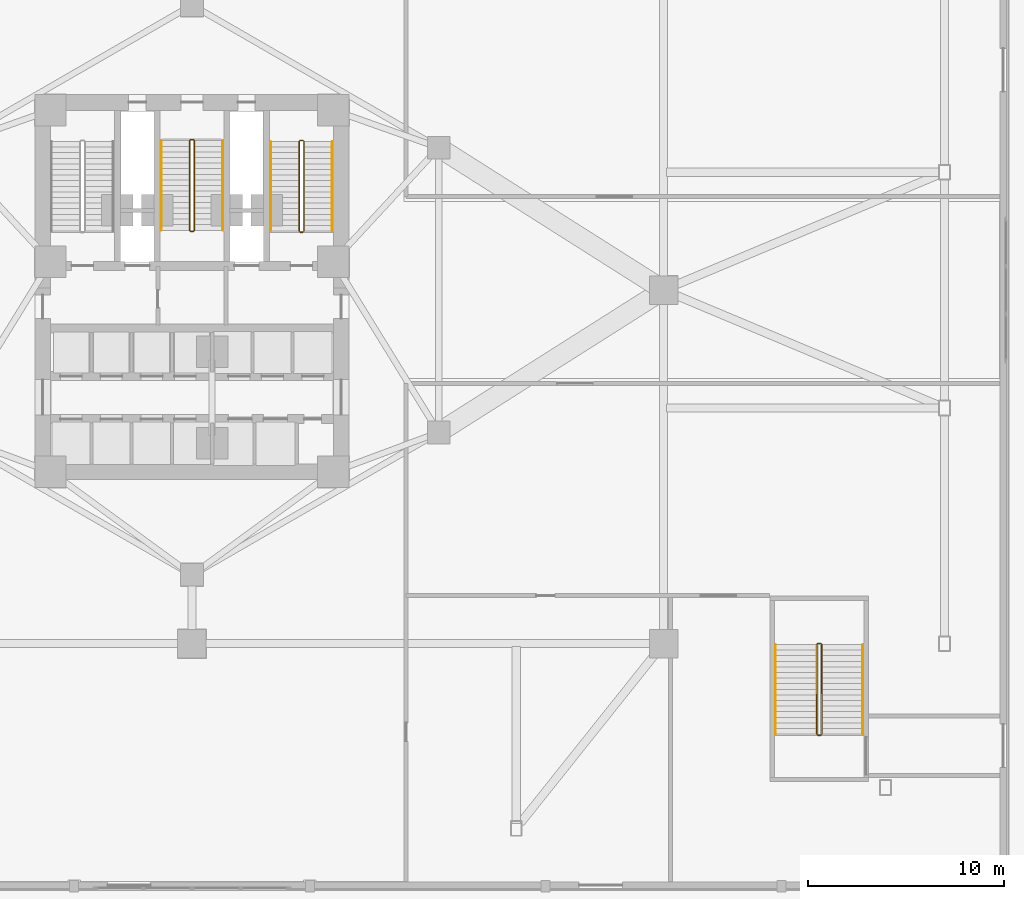
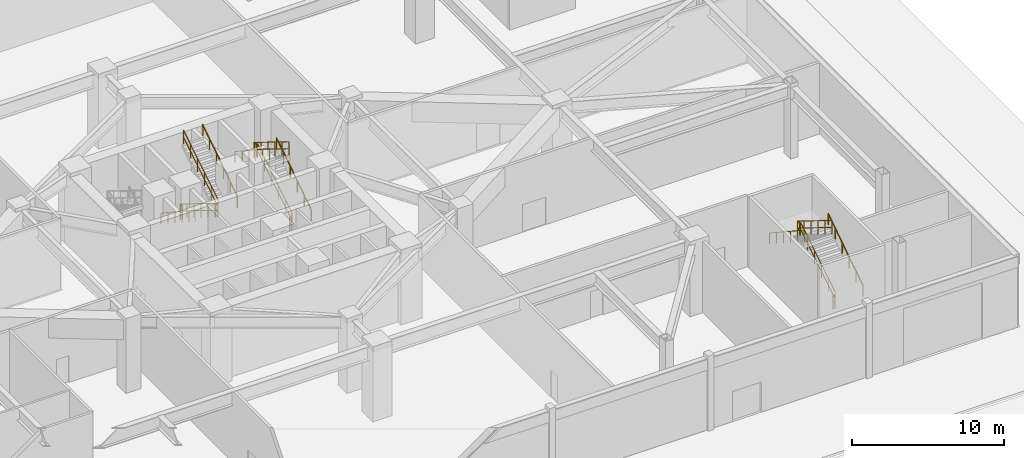
# One storey, part 20 of 24: 18 railings.
"""IFC4 building model written with IfcOpenShell, lengths in metres."""

from ifc_helpers import new_model, si_unit, direction, frame, origin, origin_2d, place, context, subcontext, project, spatial, rectangle, extrude, material, type_object, element, save


model = new_model("IFC4")

# Units and contexts
model_context = context("Model", 3, precision=1e-05, world=origin(), true_north=direction((0.0, 1.0)))
body_context = subcontext(model_context, "Body", "Model", "MODEL_VIEW")
ifc_project = project(units=[si_unit("LENGTHUNIT", "METRE"), si_unit("AREAUNIT", "SQUARE_METRE"), si_unit("VOLUMEUNIT", "CUBIC_METRE"), si_unit("PLANEANGLEUNIT", "RADIAN"), si_unit("MASSUNIT", "GRAM", prefix="KILO")], contexts=[model_context])

# Site, building, storey
site_placement = place(None, origin())
site = spatial("IfcSite", under=ifc_project, at=site_placement, CompositionType="ELEMENT")
building_placement = place(site_placement, origin())
building = spatial("IfcBuilding", under=site, at=building_placement, Name="Apsidion Concourse Tower", CompositionType="ELEMENT")
storey_placement = place(building_placement, origin())
storey = spatial("IfcBuildingStorey", under=building, at=storey_placement, Name="L00", CompositionType="ELEMENT", Elevation=0.0)

# Railings
ifc_material = material(Name="Brushed stainless steel 316", Category="steel")
railing_type_1 = type_object("IfcRailingType", Name="RL-GUARD-1100", PredefinedType="GUARDRAIL", material=ifc_material)
railing_1_placement = place(storey_placement, frame((5.699951171875, 3.0, 0.176513671875)))
element("IfcRailing", 1, at=railing_1_placement, inside=storey, type_object=railing_type_1, Name="L00 ST2 stair guard 1", PredefinedType="GUARDRAIL", context=body_context, shape_type="SweptSolid", body=[
    extrude(rectangle(XDim=0.048095703125, YDim=0.048095703125, at=origin_2d()), frame((0.0, 0.0, 1.09619140625), z_axis=(0.0, 0.850215668316, 0.526434532824), x_axis=(-1.0, 0.0, 0.0)), (0.0, 0.0, 1.0), 5.363525390625),
    extrude(rectangle(XDim=0.048095703125, YDim=0.048095703125, at=origin_2d()), frame((0.0, 0.0, 0.5361328125), z_axis=(0.0, 0.850215668316, 0.526434532824), x_axis=(-1.0, 0.0, 0.0)), (0.0, 0.0, 1.0), 5.363525390625),
    extrude(rectangle(XDim=0.0419921875, YDim=0.0419921875, at=origin_2d()), origin(), (0.0, 0.0, 1.0), 1.072021484375),
    extrude(rectangle(XDim=0.0419921875, YDim=0.0419921875, at=origin_2d()), frame((0.0, 0.912109375, 0.564697265625)), (0.0, 0.0, 1.0), 1.072021484375),
    extrude(rectangle(XDim=0.0419921875, YDim=0.0419921875, at=origin_2d()), frame((0.0, 1.823974609375, 1.12939453125)), (0.0, 0.0, 1.0), 1.072021484375),
    extrude(rectangle(XDim=0.0419921875, YDim=0.0419921875, at=origin_2d()), frame((0.0, 2.736083984375, 1.694091796875)), (0.0, 0.0, 1.0), 1.072021484375),
    extrude(rectangle(XDim=0.0419921875, YDim=0.0419921875, at=origin_2d()), frame((0.0, 3.64794921875, 2.2587890625)), (0.0, 0.0, 1.0), 1.072021484375),
    extrude(rectangle(XDim=0.0419921875, YDim=0.0419921875, at=origin_2d()), frame((0.0, 4.56005859375, 2.823486328125)), (0.0, 0.0, 1.0), 1.072021484375),
])
railing_2_placement = place(storey_placement, frame((5.64990234375, 7.610107421875, 3.0)))
element("IfcRailing", 2, at=railing_2_placement, inside=storey, type_object=railing_type_1, Name="L00 ST2 stair guard 2", PredefinedType="GUARDRAIL", context=body_context, shape_type="SweptSolid", body=[
    extrude(rectangle(XDim=0.048095703125, YDim=0.048095703125, at=origin_2d()), frame((0.0, 0.0, 1.09619140625), z_axis=(-1.0, 0.0, 0.0), x_axis=(0.0, -1.0, 0.0)), (0.0, 0.0, 1.0), 0.14990234375),
    extrude(rectangle(XDim=0.048095703125, YDim=0.048095703125, at=origin_2d()), frame((0.0, 0.0, 0.5361328125), z_axis=(-1.0, 0.0, 0.0), x_axis=(0.0, -1.0, 0.0)), (0.0, 0.0, 1.0), 0.14990234375),
    extrude(rectangle(XDim=0.0419921875, YDim=0.0419921875, at=origin_2d()), origin(), (0.0, 0.0, 1.0), 1.072021484375),
    extrude(rectangle(XDim=0.0419921875, YDim=0.0419921875, at=origin_2d()), frame((-0.14990234375, 0.0, 0.0)), (0.0, 0.0, 1.0), 1.072021484375),
])
railing_3_placement = place(storey_placement, frame((5.449951171875, 7.56005859375, 3.176513671875)))
element("IfcRailing", 3, at=railing_3_placement, inside=storey, type_object=railing_type_1, Name="L00 ST2 stair guard 3", PredefinedType="GUARDRAIL", context=body_context, shape_type="SweptSolid", body=[
    extrude(rectangle(XDim=0.048095703125, YDim=0.048095703125, at=origin_2d()), frame((0.0, 0.0, 1.09619140625), z_axis=(0.0, -0.850215668316, 0.526434532824), x_axis=(1.0, 0.0, 0.0)), (0.0, 0.0, 1.0), 5.363525390625),
    extrude(rectangle(XDim=0.048095703125, YDim=0.048095703125, at=origin_2d()), frame((0.0, 0.0, 0.5361328125), z_axis=(0.0, -0.850215668316, 0.526434532824), x_axis=(1.0, 0.0, 0.0)), (0.0, 0.0, 1.0), 5.363525390625),
    extrude(rectangle(XDim=0.0419921875, YDim=0.0419921875, at=origin_2d()), origin(), (0.0, 0.0, 1.0), 1.072021484375),
    extrude(rectangle(XDim=0.0419921875, YDim=0.0419921875, at=origin_2d()), frame((0.0, -0.912109375, 0.564697265625)), (0.0, 0.0, 1.0), 1.072021484375),
    extrude(rectangle(XDim=0.0419921875, YDim=0.0419921875, at=origin_2d()), frame((0.0, -1.823974609375, 1.12939453125)), (0.0, 0.0, 1.0), 1.072021484375),
    extrude(rectangle(XDim=0.0419921875, YDim=0.0419921875, at=origin_2d()), frame((0.0, -2.736083984375, 1.694091796875)), (0.0, 0.0, 1.0), 1.072021484375),
    extrude(rectangle(XDim=0.0419921875, YDim=0.0419921875, at=origin_2d()), frame((0.0, -3.64794921875, 2.2587890625)), (0.0, 0.0, 1.0), 1.072021484375),
    extrude(rectangle(XDim=0.0419921875, YDim=0.0419921875, at=origin_2d()), frame((0.0, -4.56005859375, 2.823486328125)), (0.0, 0.0, 1.0), 1.072021484375),
])
railing_4_placement = place(storey_placement, frame((5.64990234375, 2.949951171875, 0.0)))
element("IfcRailing", 4, at=railing_4_placement, inside=storey, type_object=railing_type_1, Name="L00 ST2 stair guard 4", PredefinedType="GUARDRAIL", context=body_context, shape_type="SweptSolid", body=[
    extrude(rectangle(XDim=0.048095703125, YDim=0.048095703125, at=origin_2d()), frame((0.0, 0.0, 1.09619140625), z_axis=(-1.0, 0.0, 0.0), x_axis=(0.0, -1.0, 0.0)), (0.0, 0.0, 1.0), 0.14990234375),
    extrude(rectangle(XDim=0.048095703125, YDim=0.048095703125, at=origin_2d()), frame((0.0, 0.0, 0.5361328125), z_axis=(-1.0, 0.0, 0.0), x_axis=(0.0, -1.0, 0.0)), (0.0, 0.0, 1.0), 0.14990234375),
    extrude(rectangle(XDim=0.0419921875, YDim=0.0419921875, at=origin_2d()), origin(), (0.0, 0.0, 1.0), 1.072021484375),
    extrude(rectangle(XDim=0.0419921875, YDim=0.0419921875, at=origin_2d()), frame((-0.14990234375, 0.0, 0.0)), (0.0, 0.0, 1.0), 1.072021484375),
])
railing_5_placement = place(storey_placement, frame((-0.125, 7.60009765625, 0.176513671875)))
element("IfcRailing", 5, at=railing_5_placement, inside=storey, type_object=railing_type_1, Name="L00 ST3 stair guard 1", PredefinedType="GUARDRAIL", context=body_context, shape_type="SweptSolid", body=[
    extrude(rectangle(XDim=0.048095703125, YDim=0.048095703125, at=origin_2d()), frame((0.0, 0.0, 1.09619140625), z_axis=(0.0, -0.850215668316, 0.526434532824), x_axis=(1.0, 0.0, 0.0)), (0.0, 0.0, 1.0), 5.363525390625),
    extrude(rectangle(XDim=0.048095703125, YDim=0.048095703125, at=origin_2d()), frame((0.0, 0.0, 0.5361328125), z_axis=(0.0, -0.850215668316, 0.526434532824), x_axis=(1.0, 0.0, 0.0)), (0.0, 0.0, 1.0), 5.363525390625),
    extrude(rectangle(XDim=0.0419921875, YDim=0.0419921875, at=origin_2d()), origin(), (0.0, 0.0, 1.0), 1.072021484375),
    extrude(rectangle(XDim=0.0419921875, YDim=0.0419921875, at=origin_2d()), frame((0.0, -0.912109375, 0.564697265625)), (0.0, 0.0, 1.0), 1.072021484375),
    extrude(rectangle(XDim=0.0419921875, YDim=0.0419921875, at=origin_2d()), frame((0.0, -1.823974609375, 1.12939453125)), (0.0, 0.0, 1.0), 1.072021484375),
    extrude(rectangle(XDim=0.0419921875, YDim=0.0419921875, at=origin_2d()), frame((0.0, -2.736083984375, 1.694091796875)), (0.0, 0.0, 1.0), 1.072021484375),
    extrude(rectangle(XDim=0.0419921875, YDim=0.0419921875, at=origin_2d()), frame((0.0, -3.64794921875, 2.2587890625)), (0.0, 0.0, 1.0), 1.072021484375),
    extrude(rectangle(XDim=0.0419921875, YDim=0.0419921875, at=origin_2d()), frame((0.0, -4.56005859375, 2.823486328125)), (0.0, 0.0, 1.0), 1.072021484375),
])
railing_6_placement = place(storey_placement, frame((-0.074951171875, 2.989990234375, 3.0)))
element("IfcRailing", 6, at=railing_6_placement, inside=storey, type_object=railing_type_1, Name="L00 ST3 stair guard 2", PredefinedType="GUARDRAIL", context=body_context, shape_type="SweptSolid", body=[
    extrude(rectangle(XDim=0.048095703125, YDim=0.048095703125, at=origin_2d()), frame((0.0, 0.0, 1.09619140625), z_axis=(1.0, 0.0, 0.0), x_axis=(0.0, 1.0, 0.0)), (0.0, 0.0, 1.0), 0.14990234375),
    extrude(rectangle(XDim=0.048095703125, YDim=0.048095703125, at=origin_2d()), frame((0.0, 0.0, 0.5361328125), z_axis=(1.0, 0.0, 0.0), x_axis=(0.0, 1.0, 0.0)), (0.0, 0.0, 1.0), 0.14990234375),
    extrude(rectangle(XDim=0.0419921875, YDim=0.0419921875, at=origin_2d()), origin(), (0.0, 0.0, 1.0), 1.072021484375),
    extrude(rectangle(XDim=0.0419921875, YDim=0.0419921875, at=origin_2d()), frame((0.14990234375, 0.0, 0.0)), (0.0, 0.0, 1.0), 1.072021484375),
])
railing_7_placement = place(storey_placement, frame((0.125, 3.0400390625, 3.176513671875)))
element("IfcRailing", 7, at=railing_7_placement, inside=storey, type_object=railing_type_1, Name="L00 ST3 stair guard 3", PredefinedType="GUARDRAIL", context=body_context, shape_type="SweptSolid", body=[
    extrude(rectangle(XDim=0.048095703125, YDim=0.048095703125, at=origin_2d()), frame((0.0, 0.0, 1.09619140625), z_axis=(0.0, 0.850215668316, 0.526434532824), x_axis=(-1.0, 0.0, 0.0)), (0.0, 0.0, 1.0), 5.363525390625),
    extrude(rectangle(XDim=0.048095703125, YDim=0.048095703125, at=origin_2d()), frame((0.0, 0.0, 0.5361328125), z_axis=(0.0, 0.850215668316, 0.526434532824), x_axis=(-1.0, 0.0, 0.0)), (0.0, 0.0, 1.0), 5.363525390625),
    extrude(rectangle(XDim=0.0419921875, YDim=0.0419921875, at=origin_2d()), origin(), (0.0, 0.0, 1.0), 1.072021484375),
    extrude(rectangle(XDim=0.0419921875, YDim=0.0419921875, at=origin_2d()), frame((0.0, 0.912109375, 0.564697265625)), (0.0, 0.0, 1.0), 1.072021484375),
    extrude(rectangle(XDim=0.0419921875, YDim=0.0419921875, at=origin_2d()), frame((0.0, 1.823974609375, 1.12939453125)), (0.0, 0.0, 1.0), 1.072021484375),
    extrude(rectangle(XDim=0.0419921875, YDim=0.0419921875, at=origin_2d()), frame((0.0, 2.736083984375, 1.694091796875)), (0.0, 0.0, 1.0), 1.072021484375),
    extrude(rectangle(XDim=0.0419921875, YDim=0.0419921875, at=origin_2d()), frame((0.0, 3.64794921875, 2.2587890625)), (0.0, 0.0, 1.0), 1.072021484375),
    extrude(rectangle(XDim=0.0419921875, YDim=0.0419921875, at=origin_2d()), frame((0.0, 4.56005859375, 2.823486328125)), (0.0, 0.0, 1.0), 1.072021484375),
])
railing_8_placement = place(storey_placement, frame((-0.074951171875, 7.64990234375, 0.0)))
element("IfcRailing", 8, at=railing_8_placement, inside=storey, type_object=railing_type_1, Name="L00 ST3 stair guard 4", PredefinedType="GUARDRAIL", context=body_context, shape_type="SweptSolid", body=[
    extrude(rectangle(XDim=0.048095703125, YDim=0.048095703125, at=origin_2d()), frame((0.0, 0.0, 1.09619140625), z_axis=(1.0, 0.0, 0.0), x_axis=(0.0, 1.0, 0.0)), (0.0, 0.0, 1.0), 0.14990234375),
    extrude(rectangle(XDim=0.048095703125, YDim=0.048095703125, at=origin_2d()), frame((0.0, 0.0, 0.5361328125), z_axis=(1.0, 0.0, 0.0), x_axis=(0.0, 1.0, 0.0)), (0.0, 0.0, 1.0), 0.14990234375),
    extrude(rectangle(XDim=0.0419921875, YDim=0.0419921875, at=origin_2d()), origin(), (0.0, 0.0, 1.0), 1.072021484375),
    extrude(rectangle(XDim=0.0419921875, YDim=0.0419921875, at=origin_2d()), frame((0.14990234375, 0.0, 0.0)), (0.0, 0.0, 1.0), 1.072021484375),
])
railing_9_placement = place(storey_placement, frame((32.050048828125, -22.60009765625, 0.176513671875)))
element("IfcRailing", 9, at=railing_9_placement, inside=storey, type_object=railing_type_1, Name="L00 ST-P2 stair guard 1", PredefinedType="GUARDRAIL", context=body_context, shape_type="SweptSolid", body=[
    extrude(rectangle(XDim=0.048095703125, YDim=0.048095703125, at=origin_2d()), frame((0.0, 0.0, 1.09619140625), z_axis=(0.0, 0.850215668316, 0.526434532824), x_axis=(-1.0, 0.0, 0.0)), (0.0, 0.0, 1.0), 5.363525390625),
    extrude(rectangle(XDim=0.048095703125, YDim=0.048095703125, at=origin_2d()), frame((0.0, 0.0, 0.5361328125), z_axis=(0.0, 0.850215668316, 0.526434532824), x_axis=(-1.0, 0.0, 0.0)), (0.0, 0.0, 1.0), 5.363525390625),
    extrude(rectangle(XDim=0.0419921875, YDim=0.0419921875, at=origin_2d()), origin(), (0.0, 0.0, 1.0), 1.072021484375),
    extrude(rectangle(XDim=0.0419921875, YDim=0.0419921875, at=origin_2d()), frame((0.0, 0.912109375, 0.564697265625)), (0.0, 0.0, 1.0), 1.072021484375),
    extrude(rectangle(XDim=0.0419921875, YDim=0.0419921875, at=origin_2d()), frame((0.0, 1.823974609375, 1.12939453125)), (0.0, 0.0, 1.0), 1.072021484375),
    extrude(rectangle(XDim=0.0419921875, YDim=0.0419921875, at=origin_2d()), frame((0.0, 2.736083984375, 1.694091796875)), (0.0, 0.0, 1.0), 1.072021484375),
    extrude(rectangle(XDim=0.0419921875, YDim=0.0419921875, at=origin_2d()), frame((0.0, 3.64794921875, 2.2587890625)), (0.0, 0.0, 1.0), 1.072021484375),
    extrude(rectangle(XDim=0.0419921875, YDim=0.0419921875, at=origin_2d()), frame((0.0, 4.56005859375, 2.823486328125)), (0.0, 0.0, 1.0), 1.072021484375),
])
railing_10_placement = place(storey_placement, frame((32.0, -17.989990234375, 3.0)))
element("IfcRailing", 10, at=railing_10_placement, inside=storey, type_object=railing_type_1, Name="L00 ST-P2 stair guard 2", PredefinedType="GUARDRAIL", context=body_context, shape_type="SweptSolid", body=[
    extrude(rectangle(XDim=0.048095703125, YDim=0.048095703125, at=origin_2d()), frame((0.0, 0.0, 1.09619140625), z_axis=(-1.0, 0.0, 0.0), x_axis=(0.0, -1.0, 0.0)), (0.0, 0.0, 1.0), 0.14990234375),
    extrude(rectangle(XDim=0.048095703125, YDim=0.048095703125, at=origin_2d()), frame((0.0, 0.0, 0.5361328125), z_axis=(-1.0, 0.0, 0.0), x_axis=(0.0, -1.0, 0.0)), (0.0, 0.0, 1.0), 0.14990234375),
    extrude(rectangle(XDim=0.0419921875, YDim=0.0419921875, at=origin_2d()), origin(), (0.0, 0.0, 1.0), 1.072021484375),
    extrude(rectangle(XDim=0.0419921875, YDim=0.0419921875, at=origin_2d()), frame((-0.14990234375, 0.0, 0.0)), (0.0, 0.0, 1.0), 1.072021484375),
])
railing_11_placement = place(storey_placement, frame((31.800048828125, -18.0400390625, 3.176513671875)))
element("IfcRailing", 11, at=railing_11_placement, inside=storey, type_object=railing_type_1, Name="L00 ST-P2 stair guard 3", PredefinedType="GUARDRAIL", context=body_context, shape_type="SweptSolid", body=[
    extrude(rectangle(XDim=0.048095703125, YDim=0.048095703125, at=origin_2d()), frame((0.0, 0.0, 1.09619140625), z_axis=(0.0, -0.850215668316, 0.526434532824), x_axis=(1.0, 0.0, 0.0)), (0.0, 0.0, 1.0), 5.363525390625),
    extrude(rectangle(XDim=0.048095703125, YDim=0.048095703125, at=origin_2d()), frame((0.0, 0.0, 0.5361328125), z_axis=(0.0, -0.850215668316, 0.526434532824), x_axis=(1.0, 0.0, 0.0)), (0.0, 0.0, 1.0), 5.363525390625),
    extrude(rectangle(XDim=0.0419921875, YDim=0.0419921875, at=origin_2d()), origin(), (0.0, 0.0, 1.0), 1.072021484375),
    extrude(rectangle(XDim=0.0419921875, YDim=0.0419921875, at=origin_2d()), frame((0.0, -0.912109375, 0.564697265625)), (0.0, 0.0, 1.0), 1.072021484375),
    extrude(rectangle(XDim=0.0419921875, YDim=0.0419921875, at=origin_2d()), frame((0.0, -1.823974609375, 1.12939453125)), (0.0, 0.0, 1.0), 1.072021484375),
    extrude(rectangle(XDim=0.0419921875, YDim=0.0419921875, at=origin_2d()), frame((0.0, -2.736083984375, 1.694091796875)), (0.0, 0.0, 1.0), 1.072021484375),
    extrude(rectangle(XDim=0.0419921875, YDim=0.0419921875, at=origin_2d()), frame((0.0, -3.64794921875, 2.2587890625)), (0.0, 0.0, 1.0), 1.072021484375),
    extrude(rectangle(XDim=0.0419921875, YDim=0.0419921875, at=origin_2d()), frame((0.0, -4.56005859375, 2.823486328125)), (0.0, 0.0, 1.0), 1.072021484375),
])
railing_12_placement = place(storey_placement, frame((32.0, -22.64990234375, 0.0)))
element("IfcRailing", 12, at=railing_12_placement, inside=storey, type_object=railing_type_1, Name="L00 ST-P2 stair guard 4", PredefinedType="GUARDRAIL", context=body_context, shape_type="SweptSolid", body=[
    extrude(rectangle(XDim=0.048095703125, YDim=0.048095703125, at=origin_2d()), frame((0.0, 0.0, 1.09619140625), z_axis=(-1.0, 0.0, 0.0), x_axis=(0.0, -1.0, 0.0)), (0.0, 0.0, 1.0), 0.14990234375),
    extrude(rectangle(XDim=0.048095703125, YDim=0.048095703125, at=origin_2d()), frame((0.0, 0.0, 0.5361328125), z_axis=(-1.0, 0.0, 0.0), x_axis=(0.0, -1.0, 0.0)), (0.0, 0.0, 1.0), 0.14990234375),
    extrude(rectangle(XDim=0.0419921875, YDim=0.0419921875, at=origin_2d()), origin(), (0.0, 0.0, 1.0), 1.072021484375),
    extrude(rectangle(XDim=0.0419921875, YDim=0.0419921875, at=origin_2d()), frame((-0.14990234375, 0.0, 0.0)), (0.0, 0.0, 1.0), 1.072021484375),
])
railing_type_2 = type_object("IfcRailingType", Name="RL-HAND-900", PredefinedType="HANDRAIL", material=ifc_material)
railing_13_placement = place(storey_placement, frame((7.14990234375, 3.0, 0.176513671875)))
element("IfcRailing", 13, at=railing_13_placement, inside=storey, type_object=railing_type_2, Name="L00 ST2 stair handrail 1", PredefinedType="HANDRAIL", context=body_context, shape_type="SweptSolid", body=[
    extrude(rectangle(XDim=0.048095703125, YDim=0.048095703125, at=origin_2d()), frame((0.0, 0.0, 0.8759765625), z_axis=(0.0, 0.835420324919, 0.549611572578), x_axis=(-1.0, 0.0, 0.0)), (0.0, 0.0, 1.0), 5.45849609375),
    extrude(rectangle(XDim=0.0419921875, YDim=0.0419921875, at=origin_2d()), origin(), (0.0, 0.0, 1.0), 0.851806640625),
    extrude(rectangle(XDim=0.0419921875, YDim=0.0419921875, at=origin_2d()), frame((0.0, 0.912109375, 0.60009765625)), (0.0, 0.0, 1.0), 0.851806640625),
    extrude(rectangle(XDim=0.0419921875, YDim=0.0419921875, at=origin_2d()), frame((0.0, 1.823974609375, 1.199951171875)), (0.0, 0.0, 1.0), 0.851806640625),
    extrude(rectangle(XDim=0.0419921875, YDim=0.0419921875, at=origin_2d()), frame((0.0, 2.736083984375, 1.800048828125)), (0.0, 0.0, 1.0), 0.851806640625),
    extrude(rectangle(XDim=0.0419921875, YDim=0.0419921875, at=origin_2d()), frame((0.0, 3.64794921875, 2.39990234375)), (0.0, 0.0, 1.0), 0.851806640625),
    extrude(rectangle(XDim=0.0419921875, YDim=0.0419921875, at=origin_2d()), frame((0.0, 4.56005859375, 3.0)), (0.0, 0.0, 1.0), 0.851806640625),
])
for number, where, name in (
    (14, (4.0, 7.56005859375, 3.176513671875), "L00 ST2 stair handrail 2"),
    (15, (-1.574951171875, 7.60009765625, 0.176513671875), "L00 ST3 stair handrail 1"),
):
    element("IfcRailing", number, at=place(storey_placement, frame(where)), inside=storey, type_object=railing_type_2, Name=name, PredefinedType="HANDRAIL", context=body_context, shape_type="SweptSolid", body=[
        extrude(rectangle(XDim=0.048095703125, YDim=0.048095703125, at=origin_2d()), frame((0.0, 0.0, 0.8759765625), z_axis=(0.0, -0.835420324919, 0.549611572578), x_axis=(1.0, 0.0, 0.0)), (0.0, 0.0, 1.0), 5.45849609375),
        extrude(rectangle(XDim=0.0419921875, YDim=0.0419921875, at=origin_2d()), origin(), (0.0, 0.0, 1.0), 0.851806640625),
        extrude(rectangle(XDim=0.0419921875, YDim=0.0419921875, at=origin_2d()), frame((0.0, -0.912109375, 0.60009765625)), (0.0, 0.0, 1.0), 0.851806640625),
        extrude(rectangle(XDim=0.0419921875, YDim=0.0419921875, at=origin_2d()), frame((0.0, -1.823974609375, 1.199951171875)), (0.0, 0.0, 1.0), 0.851806640625),
        extrude(rectangle(XDim=0.0419921875, YDim=0.0419921875, at=origin_2d()), frame((0.0, -2.736083984375, 1.800048828125)), (0.0, 0.0, 1.0), 0.851806640625),
        extrude(rectangle(XDim=0.0419921875, YDim=0.0419921875, at=origin_2d()), frame((0.0, -3.64794921875, 2.39990234375)), (0.0, 0.0, 1.0), 0.851806640625),
        extrude(rectangle(XDim=0.0419921875, YDim=0.0419921875, at=origin_2d()), frame((0.0, -4.56005859375, 3.0)), (0.0, 0.0, 1.0), 0.851806640625),
    ])
for number, where, name in (
    (16, (1.574951171875, 3.0400390625, 3.176513671875), "L00 ST3 stair handrail 2"),
    (17, (34.14990234375, -22.60009765625, 0.176513671875), "L00 ST-P2 stair handrail 1"),
):
    element("IfcRailing", number, at=place(storey_placement, frame(where)), inside=storey, type_object=railing_type_2, Name=name, PredefinedType="HANDRAIL", context=body_context, shape_type="SweptSolid", body=[
        extrude(rectangle(XDim=0.048095703125, YDim=0.048095703125, at=origin_2d()), frame((0.0, 0.0, 0.8759765625), z_axis=(0.0, 0.835420324919, 0.549611572578), x_axis=(-1.0, 0.0, 0.0)), (0.0, 0.0, 1.0), 5.45849609375),
        extrude(rectangle(XDim=0.0419921875, YDim=0.0419921875, at=origin_2d()), origin(), (0.0, 0.0, 1.0), 0.851806640625),
        extrude(rectangle(XDim=0.0419921875, YDim=0.0419921875, at=origin_2d()), frame((0.0, 0.912109375, 0.60009765625)), (0.0, 0.0, 1.0), 0.851806640625),
        extrude(rectangle(XDim=0.0419921875, YDim=0.0419921875, at=origin_2d()), frame((0.0, 1.823974609375, 1.199951171875)), (0.0, 0.0, 1.0), 0.851806640625),
        extrude(rectangle(XDim=0.0419921875, YDim=0.0419921875, at=origin_2d()), frame((0.0, 2.736083984375, 1.800048828125)), (0.0, 0.0, 1.0), 0.851806640625),
        extrude(rectangle(XDim=0.0419921875, YDim=0.0419921875, at=origin_2d()), frame((0.0, 3.64794921875, 2.39990234375)), (0.0, 0.0, 1.0), 0.851806640625),
        extrude(rectangle(XDim=0.0419921875, YDim=0.0419921875, at=origin_2d()), frame((0.0, 4.56005859375, 3.0)), (0.0, 0.0, 1.0), 0.851806640625),
    ])
railing_14_placement = place(storey_placement, frame((29.699951171875, -18.0400390625, 3.176513671875)))
element("IfcRailing", 18, at=railing_14_placement, inside=storey, type_object=railing_type_2, Name="L00 ST-P2 stair handrail 2", PredefinedType="HANDRAIL", context=body_context, shape_type="SweptSolid", body=[
    extrude(rectangle(XDim=0.048095703125, YDim=0.048095703125, at=origin_2d()), frame((0.0, 0.0, 0.8759765625), z_axis=(0.0, -0.835420324919, 0.549611572578), x_axis=(1.0, 0.0, 0.0)), (0.0, 0.0, 1.0), 5.45849609375),
    extrude(rectangle(XDim=0.0419921875, YDim=0.0419921875, at=origin_2d()), origin(), (0.0, 0.0, 1.0), 0.851806640625),
    extrude(rectangle(XDim=0.0419921875, YDim=0.0419921875, at=origin_2d()), frame((0.0, -0.912109375, 0.60009765625)), (0.0, 0.0, 1.0), 0.851806640625),
    extrude(rectangle(XDim=0.0419921875, YDim=0.0419921875, at=origin_2d()), frame((0.0, -1.823974609375, 1.199951171875)), (0.0, 0.0, 1.0), 0.851806640625),
    extrude(rectangle(XDim=0.0419921875, YDim=0.0419921875, at=origin_2d()), frame((0.0, -2.736083984375, 1.800048828125)), (0.0, 0.0, 1.0), 0.851806640625),
    extrude(rectangle(XDim=0.0419921875, YDim=0.0419921875, at=origin_2d()), frame((0.0, -3.64794921875, 2.39990234375)), (0.0, 0.0, 1.0), 0.851806640625),
    extrude(rectangle(XDim=0.0419921875, YDim=0.0419921875, at=origin_2d()), frame((0.0, -4.56005859375, 3.0)), (0.0, 0.0, 1.0), 0.851806640625),
])

save(model, "model.ifc")
